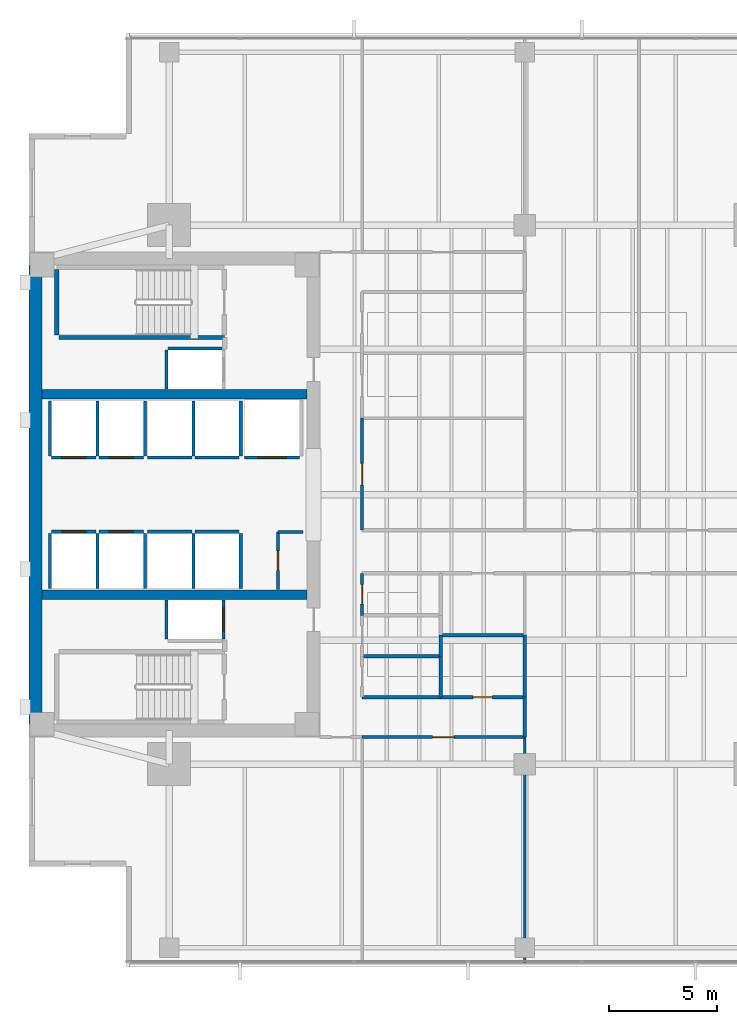
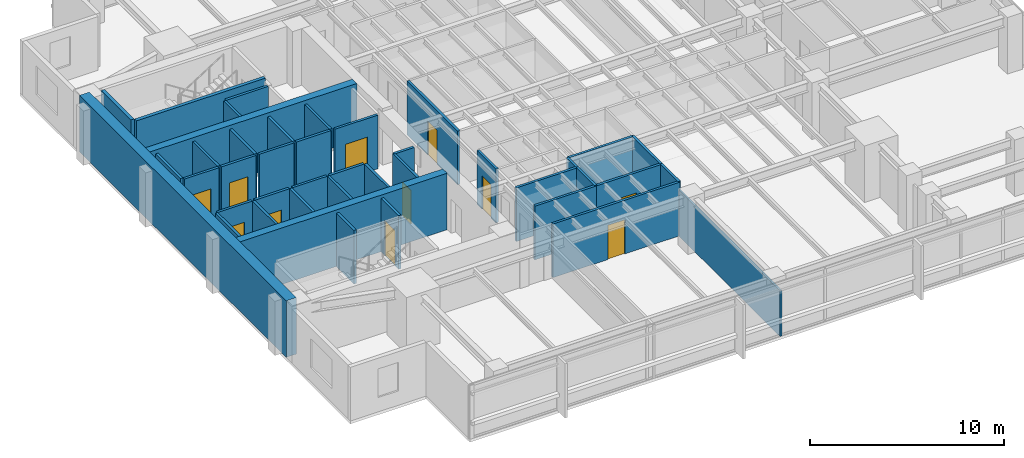
# One storey, part 8 of 14: 42 walls, 11 doors, 11 openings.
"""IFC4 building model written with IfcOpenShell, lengths in metres."""

from ifc_helpers import new_model, si_unit, direction, frame, frame_2d, origin, place, context, subcontext, project, spatial, rectangle, extrude, material, layer, layer_set, type_object, element, fill, save


model = new_model("IFC4")

# Units and contexts
model_context = context("Model", 3, precision=1e-05, world=origin(), true_north=direction((0.0, 1.0)))
body_context = subcontext(model_context, "Body", "Model", "MODEL_VIEW")
ifc_project = project(units=[si_unit("LENGTHUNIT", "METRE"), si_unit("AREAUNIT", "SQUARE_METRE"), si_unit("VOLUMEUNIT", "CUBIC_METRE"), si_unit("PLANEANGLEUNIT", "RADIAN"), si_unit("MASSUNIT", "GRAM", prefix="KILO")], contexts=[model_context])

# Site, building, storey
site_placement = place(None, origin())
site = spatial("IfcSite", under=ifc_project, at=site_placement, CompositionType="ELEMENT")
building_placement = place(site_placement, origin())
building = spatial("IfcBuilding", under=site, at=building_placement, Name="Kinhvarn Gate Tower", CompositionType="ELEMENT")
storey_placement = place(building_placement, frame((0.0, 0.0, 166.14990234375)))
storey = spatial("IfcBuildingStorey", under=building, at=storey_placement, Name="L44", CompositionType="ELEMENT", Elevation=166.14990234375)

# Walls
ifc_material_1 = material(Name="Concrete C50/60", Category="concrete")
ifc_layer_1 = layer(ifc_material_1, 0.449951171875)
ifc_layer_set_1 = layer_set([ifc_layer_1], Name="Concrete C50/60")
wall_type_1 = type_object("IfcWallType", Name="WL-CORE-450", PredefinedType="SHEAR", material=ifc_layer_set_1)
for number, where, z_axis, x_axis, name in (
    (1, (5.10009765625, 20.60009765625, 0.0), (0.0, 0.0, 1.0), (1.0, 0.0, 0.0), "Core South Spine Shear Wall L44 450 mm"),
    (2, (5.10009765625, 29.89990234375, 0.0), (0.0, 0.0, 1.0), (1.0, 0.0, 0.0), "Core North Spine Shear Wall L44 450 mm"),
):
    element("IfcWall", number, at=place(storey_placement, frame(where, z_axis=z_axis, x_axis=x_axis)), inside=storey, type_object=wall_type_1, Name=name, PredefinedType="SHEAR", context=body_context, shape_type="SweptSolid", body=[
        extrude(rectangle(XDim=12.2998046875, YDim=0.449951171875, at=frame_2d((6.14990234375, 0.0))), origin(), (0.0, 0.0, 1.0), 3.550048828125),
    ])
ifc_material_2 = material(Name="Concrete C60/75", Category="concrete")
ifc_layer_2 = layer(ifc_material_2, 0.60009765625)
ifc_layer_set_2 = layer_set([ifc_layer_2], Name="Concrete C60/75")
wall_type_2 = type_object("IfcWallType", Name="WL-COREX-600", PredefinedType="SHEAR", material=ifc_layer_set_2)
wall_1_placement = place(storey_placement, frame((4.800048828125, 14.60009765625, 0.0), z_axis=(0.0, 0.0, 1.0), x_axis=(0.0, 1.0, 0.0)))
element("IfcWall", 3, at=wall_1_placement, inside=storey, type_object=wall_type_2, Name="Core West Shear Wall L44 600 mm", PredefinedType="SHEAR", context=body_context, shape_type="SweptSolid", body=[
    extrude(rectangle(XDim=21.2998046875, YDim=0.60009765625, at=frame_2d((10.64990234375, 0.0))), origin(), (0.0, 0.0, 1.0), 3.550048828125),
])
ifc_material_3 = material(Name="Gypsum acoustic partition board")
ifc_layer_3 = layer(ifc_material_3, 0.14990234375)
ifc_layer_set_3 = layer_set([ifc_layer_3], Name="Gypsum acoustic partition board")
wall_type_3 = type_object("IfcWallType", Name="WL-PLM-150", PredefinedType="PLUMBINGWALL", material=ifc_layer_set_3)
wall_2_placement = place(storey_placement, frame((19.949951171875, 17.75, 0.0), z_axis=(0.0, 0.0, 1.0), x_axis=(1.0, 0.0, 0.0)))
element("IfcWall", 4, at=wall_2_placement, inside=storey, type_object=wall_type_3, Name="Interior Partition PLW-150 (L44)", PredefinedType="PLUMBINGWALL", context=body_context, shape_type="SweptSolid", body=[
    extrude(rectangle(XDim=3.650146484375, YDim=0.14990234375, at=frame_2d((1.8251953125, 0.0))), origin(), (0.0, 0.0, 1.0), 3.3701171875),
])
wall_3_placement = place(storey_placement, frame((23.60009765625, 15.85009765625, 0.0), z_axis=(0.0, 0.0, 1.0), x_axis=(0.0, 1.0, 0.0)))
element("IfcWall", 5, at=wall_3_placement, inside=storey, type_object=wall_type_3, Name="Interior Partition PLW-150 (L44)", PredefinedType="PLUMBINGWALL", context=body_context, shape_type="SweptSolid", body=[
    extrude(rectangle(XDim=1.89990234375, YDim=0.14990234375, at=frame_2d((0.949951171875, 0.0))), origin(), (0.0, 0.0, 1.0), 3.3701171875),
])
wall_4_placement = place(storey_placement, frame((23.60009765625, 17.75, 0.0), z_axis=(0.0, 0.0, 1.0), x_axis=(0.0, 1.0, 0.0)))
element("IfcWall", 6, at=wall_4_placement, inside=storey, type_object=wall_type_3, Name="Interior Partition PLW-150 (L44)", PredefinedType="PLUMBINGWALL", context=body_context, shape_type="SweptSolid", body=[
    extrude(rectangle(XDim=0.97998046875, YDim=0.14990234375, at=frame_2d((0.489990234375, 0.0))), origin(), (0.0, 0.0, 1.0), 3.3701171875),
])
wall_5_placement = place(storey_placement, frame((23.60009765625, 18.72998046875, 0.0), z_axis=(0.0, 0.0, 1.0), x_axis=(1.0, 0.0, 0.0)))
element("IfcWall", 7, at=wall_5_placement, inside=storey, type_object=wall_type_3, Name="Interior Partition PLW-150 (L44)", PredefinedType="PLUMBINGWALL", context=body_context, shape_type="SweptSolid", body=[
    extrude(rectangle(XDim=3.89990234375, YDim=0.14990234375, at=frame_2d((1.949951171875, 0.0))), origin(), (0.0, 0.0, 1.0), 3.3701171875),
])
wall_6_placement = place(storey_placement, frame((27.5, 15.85009765625, 0.0), z_axis=(0.0, 0.0, 1.0), x_axis=(0.0, 1.0, 0.0)))
element("IfcWall", 8, at=wall_6_placement, inside=storey, type_object=wall_type_3, Name="Interior Partition PLW-150 (L44)", PredefinedType="PLUMBINGWALL", context=body_context, shape_type="SweptSolid", body=[
    extrude(rectangle(XDim=2.8798828125, YDim=0.14990234375, at=frame_2d((1.43994140625, 0.0))), origin(), (0.0, 0.0, 1.0), 3.3701171875),
])

# Wall, opening, door
ifc_layer_4 = layer(ifc_material_3, 0.14990234375)
ifc_layer_set_4 = layer_set([ifc_layer_4], Name="Gypsum acoustic partition board")
wall_type_4 = type_object("IfcWallType", Name="WL-PLM-150F", PredefinedType="PLUMBINGWALL", material=ifc_layer_set_4)
wall_7_placement = place(storey_placement, frame((19.949951171875, 19.64990234375, 0.0), z_axis=(0.0, 0.0, 1.0), x_axis=(0.0, 1.0, 0.0)))
wall_7 = element("IfcWall", 9, at=wall_7_placement, inside=storey, type_object=wall_type_4, Name="Interior Partition PLW-150F (L44)", PredefinedType="PLUMBINGWALL", context=body_context, shape_type="SweptSolid", body=[
    extrude(rectangle(XDim=1.9501953125, YDim=0.14990234375, at=frame_2d((0.97509765625, 0.0))), origin(), (0.0, 0.0, 1.0), 3.3701171875),
])
opening_1_placement = place(wall_7_placement, frame((0.52490234375, 0.0, 0.0)))
opening_1 = element("IfcOpeningElement", 10, at=opening_1_placement, cuts=wall_7, Name="Opening FD-04", PredefinedType="OPENING", context=body_context, shape_type="SweptSolid", body=[
    extrude(rectangle(XDim=0.89990234375, YDim=2.10009765625, at=frame_2d((0.449951171875, 1.050048828125))), frame((0.0, 0.0849609375, 0.0), z_axis=(0.0, -1.0, 0.0), x_axis=(1.0, 0.0, 0.0)), (0.0, 0.0, 1.0), 0.169921875),
])
ifc_material_4 = material(Name="Anodised aluminium AW-6063", Category="aluminium")
door_type_1 = type_object("IfcDoorType", Name="DR-FD-900", OperationType="NOTDEFINED", PredefinedType="DOOR", material=ifc_material_4)
door_1_placement = place(opening_1_placement, origin())
door_1 = element("IfcDoor", 11, at=door_1_placement, inside=storey, type_object=door_type_1, Name="Rated Riser & Service Closet Fire Door 900x2100 mm (L44)", OperationType="SINGLE_SWING_LEFT", OverallHeight=2.10009765625, OverallWidth=0.89990234375, PredefinedType="DOOR", context=body_context, shape_type="SweptSolid", body=[
    extrude(rectangle(XDim=0.89990234375, YDim=2.10009765625, at=frame_2d((0.449951171875, 1.050048828125))), frame((0.0, 0.02490234375, 0.0), z_axis=(0.0, -1.0, 0.0), x_axis=(1.0, 0.0, 0.0)), (0.0, 0.0, 1.0), 0.050048828125),
])
fill(opening_1, door_1)

# Wall
wall_8_placement = place(storey_placement, frame((19.949951171875, 15.85009765625, 0.0), z_axis=(0.0, 0.0, 1.0), x_axis=(1.0, 0.0, 0.0)))
element("IfcWall", 12, at=wall_8_placement, inside=storey, type_object=wall_type_4, Name="Interior Partition PLW-150F (L44)", PredefinedType="PLUMBINGWALL", context=body_context, shape_type="SweptSolid", body=[
    extrude(rectangle(XDim=3.650146484375, YDim=0.14990234375, at=frame_2d((1.8251953125, 0.0))), origin(), (0.0, 0.0, 1.0), 3.3701171875),
])

# Wall, opening, door
wall_9_placement = place(storey_placement, frame((23.60009765625, 15.85009765625, 0.0), z_axis=(0.0, 0.0, 1.0), x_axis=(1.0, 0.0, 0.0)))
wall_9 = element("IfcWall", 13, at=wall_9_placement, inside=storey, type_object=wall_type_4, Name="Interior Partition PLW-150F (L44)", PredefinedType="PLUMBINGWALL", context=body_context, shape_type="SweptSolid", body=[
    extrude(rectangle(XDim=3.89990234375, YDim=0.14990234375, at=frame_2d((1.949951171875, 0.0))), origin(), (0.0, 0.0, 1.0), 3.3701171875),
])
opening_2_placement = place(wall_9_placement, frame((1.5, 0.0, 0.0)))
opening_2 = element("IfcOpeningElement", 14, at=opening_2_placement, cuts=wall_9, Name="Opening FD-04", PredefinedType="OPENING", context=body_context, shape_type="SweptSolid", body=[
    extrude(rectangle(XDim=0.89990234375, YDim=2.10009765625, at=frame_2d((0.449951171875, 1.050048828125))), frame((0.0, 0.0849609375, 0.0), z_axis=(0.0, -1.0, 0.0), x_axis=(1.0, 0.0, 0.0)), (0.0, 0.0, 1.0), 0.169921875),
])
door_2_placement = place(opening_2_placement, origin())
door_2 = element("IfcDoor", 15, at=door_2_placement, inside=storey, type_object=door_type_1, Name="Rated Riser & Service Closet Fire Door 900x2100 mm (L44)", OperationType="SINGLE_SWING_LEFT", OverallHeight=2.10009765625, OverallWidth=0.89990234375, PredefinedType="DOOR", context=body_context, shape_type="SweptSolid", body=[
    extrude(rectangle(XDim=0.89990234375, YDim=2.10009765625, at=frame_2d((0.449951171875, 1.050048828125))), frame((0.0, 0.02490234375, 0.0), z_axis=(0.0, -1.0, 0.0), x_axis=(1.0, 0.0, 0.0)), (0.0, 0.0, 1.0), 0.050048828125),
])
fill(opening_2, door_2)

# Wall
ifc_layer_5 = layer(ifc_material_3, 0.1201171875)
ifc_layer_set_5 = layer_set([ifc_layer_5], Name="Gypsum acoustic partition board")
wall_type_5 = type_object("IfcWallType", Name="WL-PRT-120", PredefinedType="PARTITIONING", material=ifc_layer_set_5)
wall_10_placement = place(storey_placement, frame((27.5, 3.510009765625, 0.0), z_axis=(0.0, 0.0, 1.0), x_axis=(0.0, 1.0, 0.0)))
element("IfcWall", 16, at=wall_10_placement, inside=storey, type_object=wall_type_5, Name="Interior Partition PW-120 (L44)", PredefinedType="PARTITIONING", context=body_context, shape_type="SweptSolid", body=[
    extrude(rectangle(XDim=10.489990234375, YDim=0.1201171875, at=frame_2d((5.2451171875, 0.0))), origin(), (0.0, 0.0, 1.0), 2.8701171875),
])

# Wall, opening, door
ifc_layer_6 = layer(ifc_material_3, 0.14990234375)
ifc_layer_set_6 = layer_set([ifc_layer_6], Name="Gypsum acoustic partition board")
wall_type_6 = type_object("IfcWallType", Name="WL-PRT-150F", PredefinedType="PARTITIONING", material=ifc_layer_set_6)
wall_11_placement = place(storey_placement, frame((16.050048828125, 20.85009765625, 0.0), z_axis=(0.0, 0.0, 1.0), x_axis=(0.0, 1.0, 0.0)))
wall_11 = element("IfcWall", 17, at=wall_11_placement, inside=storey, type_object=wall_type_6, Name="Interior Partition PW-150F (L44)", PredefinedType="PARTITIONING", context=body_context, shape_type="SweptSolid", body=[
    extrude(rectangle(XDim=2.669921875, YDim=0.14990234375, at=frame_2d((1.3349609375, 0.0))), origin(), (0.0, 0.0, 1.0), 3.3701171875),
])
opening_3_placement = place(wall_11_placement, frame((0.885009765625, 0.0, 0.0)))
opening_3 = element("IfcOpeningElement", 18, at=opening_3_placement, cuts=wall_11, Name="Opening FD-04", PredefinedType="OPENING", context=body_context, shape_type="SweptSolid", body=[
    extrude(rectangle(XDim=0.89990234375, YDim=2.10009765625, at=frame_2d((0.449951171875, 1.050048828125))), frame((0.0, 0.0849609375, 0.0), z_axis=(0.0, -1.0, 0.0), x_axis=(1.0, 0.0, 0.0)), (0.0, 0.0, 1.0), 0.169921875),
])
door_3_placement = place(opening_3_placement, origin())
door_3 = element("IfcDoor", 19, at=door_3_placement, inside=storey, type_object=door_type_1, Name="Rated Riser & Service Closet Fire Door 900x2100 mm (L44)", OperationType="SINGLE_SWING_RIGHT", OverallHeight=2.10009765625, OverallWidth=0.89990234375, PredefinedType="DOOR", context=body_context, shape_type="SweptSolid", body=[
    extrude(rectangle(XDim=0.89990234375, YDim=2.10009765625, at=frame_2d((0.449951171875, 1.050048828125))), frame((0.0, 0.02490234375, 0.0), z_axis=(0.0, -1.0, 0.0), x_axis=(1.0, 0.0, 0.0)), (0.0, 0.0, 1.0), 0.050048828125),
])
fill(opening_3, door_3)

# Wall
wall_12_placement = place(storey_placement, frame((16.050048828125, 23.52001953125, 0.0), z_axis=(0.0, 0.0, 1.0), x_axis=(1.0, 0.0, 0.0)))
element("IfcWall", 20, at=wall_12_placement, inside=storey, type_object=wall_type_6, Name="Interior Partition PW-150F (L44)", PredefinedType="PARTITIONING", context=body_context, shape_type="SweptSolid", body=[
    extrude(rectangle(XDim=1.169921875, YDim=0.14990234375, at=frame_2d((0.5849609375, 0.0))), origin(), (0.0, 0.0, 1.0), 3.3701171875),
])

# Wall, opening, door
wall_13_placement = place(storey_placement, frame((19.949951171875, 23.60009765625, 0.0), z_axis=(0.0, 0.0, 1.0), x_axis=(0.0, 1.0, 0.0)))
wall_13 = element("IfcWall", 21, at=wall_13_placement, inside=storey, type_object=wall_type_6, Name="Interior Partition PW-150F (L44)", PredefinedType="PARTITIONING", context=body_context, shape_type="SweptSolid", body=[
    extrude(rectangle(XDim=5.199951171875, YDim=0.14990234375, at=frame_2d((2.60009765625, 0.0))), origin(), (0.0, 0.0, 1.0), 3.3701171875),
])
opening_4_placement = place(wall_13_placement, frame((2.10009765625, 0.0, 0.0)))
opening_4 = element("IfcOpeningElement", 22, at=opening_4_placement, cuts=wall_13, Name="Opening ID-02", PredefinedType="OPENING", context=body_context, shape_type="SweptSolid", body=[
    extrude(rectangle(XDim=1.0, YDim=2.14990234375, at=frame_2d((0.5, 1.074951171875))), frame((0.0, 0.0849609375, 0.0), z_axis=(0.0, -1.0, 0.0), x_axis=(1.0, 0.0, 0.0)), (0.0, 0.0, 1.0), 0.169921875),
])
door_type_2 = type_object("IfcDoorType", Name="DR-INT-1000", OperationType="NOTDEFINED", PredefinedType="DOOR", material=ifc_material_4)
door_4_placement = place(opening_4_placement, origin())
door_4 = element("IfcDoor", 23, at=door_4_placement, inside=storey, type_object=door_type_2, Name="Standard Office & Meeting Room Door 1000x2150 mm (L44)", OperationType="SINGLE_SWING_RIGHT", OverallHeight=2.14990234375, OverallWidth=1.0, PredefinedType="DOOR", context=body_context, shape_type="SweptSolid", body=[
    extrude(rectangle(XDim=1.0, YDim=2.14990234375, at=frame_2d((0.5, 1.074951171875))), frame((0.0, 0.02490234375, 0.0), z_axis=(0.0, -1.0, 0.0), x_axis=(1.0, 0.0, 0.0)), (0.0, 0.0, 1.0), 0.050048828125),
])
fill(opening_4, door_4)

wall_14_placement = place(storey_placement, frame((19.949951171875, 14.0, 0.0), z_axis=(0.0, 0.0, 1.0), x_axis=(1.0, 0.0, 0.0)))
wall_14 = element("IfcWall", 24, at=wall_14_placement, inside=storey, type_object=wall_type_6, Name="Interior Partition PW-150F (L44)", PredefinedType="PARTITIONING", context=body_context, shape_type="SweptSolid", body=[
    extrude(rectangle(XDim=7.550048828125, YDim=0.14990234375, at=frame_2d((3.77490234375, 0.0))), origin(), (0.0, 0.0, 1.0), 3.3701171875),
])
opening_5_placement = place(wall_14_placement, frame((3.27490234375, 0.0, 0.0)))
opening_5 = element("IfcOpeningElement", 25, at=opening_5_placement, cuts=wall_14, Name="Opening ID-02", PredefinedType="OPENING", context=body_context, shape_type="SweptSolid", body=[
    extrude(rectangle(XDim=1.0, YDim=2.14990234375, at=frame_2d((0.5, 1.074951171875))), frame((0.0, 0.0849609375, 0.0), z_axis=(0.0, -1.0, 0.0), x_axis=(1.0, 0.0, 0.0)), (0.0, 0.0, 1.0), 0.169921875),
])
door_5_placement = place(opening_5_placement, origin())
door_5 = element("IfcDoor", 26, at=door_5_placement, inside=storey, type_object=door_type_2, Name="Standard Office & Meeting Room Door 1000x2150 mm (L44)", OperationType="SINGLE_SWING_RIGHT", OverallHeight=2.14990234375, OverallWidth=1.0, PredefinedType="DOOR", context=body_context, shape_type="SweptSolid", body=[
    extrude(rectangle(XDim=1.0, YDim=2.14990234375, at=frame_2d((0.5, 1.074951171875))), frame((0.0, 0.02490234375, 0.0), z_axis=(0.0, -1.0, 0.0), x_axis=(1.0, 0.0, 0.0)), (0.0, 0.0, 1.0), 0.050048828125),
])
fill(opening_5, door_5)

# Wall
wall_15_placement = place(storey_placement, frame((27.5, 14.0, 0.0), z_axis=(0.0, 0.0, 1.0), x_axis=(0.0, 1.0, 0.0)))
element("IfcWall", 27, at=wall_15_placement, inside=storey, type_object=wall_type_6, Name="Interior Partition PW-150F (L44)", PredefinedType="PARTITIONING", context=body_context, shape_type="SweptSolid", body=[
    extrude(rectangle(XDim=1.85009765625, YDim=0.14990234375, at=frame_2d((0.925048828125, 0.0))), origin(), (0.0, 0.0, 1.0), 3.3701171875),
])

# Wall, opening, door
ifc_layer_7 = layer(ifc_material_3, 0.14990234375)
ifc_layer_set_7 = layer_set([ifc_layer_7], Name="Gypsum acoustic partition board")
wall_type_7 = type_object("IfcWallType", Name="WL-SHF-150", PredefinedType="PARTITIONING", material=ifc_layer_set_7)
wall_16_placement = place(storey_placement, frame((5.550048828125, 23.52490234375, 0.0), z_axis=(0.0, 0.0, 1.0), x_axis=(1.0, 0.0, 0.0)))
wall_16 = element("IfcWall", 28, at=wall_16_placement, inside=storey, type_object=wall_type_7, Name="Elevator PM-05 Landing Wall (L44)", PredefinedType="PARTITIONING", context=body_context, shape_type="SweptSolid", body=[
    extrude(rectangle(XDim=2.050048828125, YDim=0.14990234375, at=frame_2d((1.02490234375, 0.0))), origin(), (0.0, 0.0, 1.0), 3.3701171875),
])
opening_6_placement = place(wall_16_placement, frame((0.47509765625, 0.0, 0.0)))
opening_6 = element("IfcOpeningElement", 29, at=opening_6_placement, cuts=wall_16, Name="Opening LD-01", PredefinedType="OPENING", context=body_context, shape_type="SweptSolid", body=[
    extrude(rectangle(XDim=1.10009765625, YDim=2.199951171875, at=frame_2d((0.550048828125, 1.10009765625))), frame((0.0, 0.0849609375, 0.0), z_axis=(0.0, -1.0, 0.0), x_axis=(1.0, 0.0, 0.0)), (0.0, 0.0, 1.0), 0.169921875),
])
door_type_3 = type_object("IfcDoorType", Name="DR-LND-PAS", OperationType="NOTDEFINED", PredefinedType="DOOR", material=ifc_material_4)
door_6_placement = place(opening_6_placement, origin())
door_6 = element("IfcDoor", 30, at=door_6_placement, inside=storey, type_object=door_type_3, Name="Elevator PM-05 Sliding Landing Door (L44)", OperationType="DOUBLE_DOOR_SLIDING", OverallHeight=2.199951171875, OverallWidth=1.10009765625, PredefinedType="DOOR", context=body_context, shape_type="SweptSolid", body=[
    extrude(rectangle(XDim=1.10009765625, YDim=2.199951171875, at=frame_2d((0.550048828125, 1.10009765625))), frame((0.0, 0.02490234375, 0.0), z_axis=(0.0, -1.0, 0.0), x_axis=(1.0, 0.0, 0.0)), (0.0, 0.0, 1.0), 0.050048828125),
])
fill(opening_6, door_6)

# Walls
for number, where, z_axis, x_axis, name in (
    (31, (5.47509765625, 20.89990234375, 0.0), (0.0, 0.0, 1.0), (0.0, 1.0, 0.0), "Elevator PM-05 Hoistway Wall W (L44)"),
    (32, (7.675048828125, 20.89990234375, 0.0), (0.0, 0.0, 1.0), (0.0, 1.0, 0.0), "Elevator PM-05 Hoistway Wall E (L44)"),
):
    element("IfcWall", number, at=place(storey_placement, frame(where, z_axis=z_axis, x_axis=x_axis)), inside=storey, type_object=wall_type_7, Name=name, PredefinedType="PARTITIONING", context=body_context, shape_type="SweptSolid", body=[
        extrude(rectangle(XDim=2.550048828125, YDim=0.14990234375, at=frame_2d((1.27490234375, 0.0))), origin(), (0.0, 0.0, 1.0), 3.3701171875),
    ])

# Wall, opening, door
wall_17_placement = place(storey_placement, frame((7.75, 23.52490234375, 0.0), z_axis=(0.0, 0.0, 1.0), x_axis=(1.0, 0.0, 0.0)))
wall_17 = element("IfcWall", 33, at=wall_17_placement, inside=storey, type_object=wall_type_7, Name="Elevator PM-06 Landing Wall (L44)", PredefinedType="PARTITIONING", context=body_context, shape_type="SweptSolid", body=[
    extrude(rectangle(XDim=2.050048828125, YDim=0.14990234375, at=frame_2d((1.02490234375, 0.0))), origin(), (0.0, 0.0, 1.0), 3.3701171875),
])
opening_7_placement = place(wall_17_placement, frame((0.47509765625, 0.0, 0.0)))
opening_7 = element("IfcOpeningElement", 34, at=opening_7_placement, cuts=wall_17, Name="Opening LD-01", PredefinedType="OPENING", context=body_context, shape_type="SweptSolid", body=[
    extrude(rectangle(XDim=1.10009765625, YDim=2.199951171875, at=frame_2d((0.550048828125, 1.10009765625))), frame((0.0, 0.0849609375, 0.0), z_axis=(0.0, -1.0, 0.0), x_axis=(1.0, 0.0, 0.0)), (0.0, 0.0, 1.0), 0.169921875),
])
door_7_placement = place(opening_7_placement, origin())
door_7 = element("IfcDoor", 35, at=door_7_placement, inside=storey, type_object=door_type_3, Name="Elevator PM-06 Sliding Landing Door (L44)", OperationType="DOUBLE_DOOR_SLIDING", OverallHeight=2.199951171875, OverallWidth=1.10009765625, PredefinedType="DOOR", context=body_context, shape_type="SweptSolid", body=[
    extrude(rectangle(XDim=1.10009765625, YDim=2.199951171875, at=frame_2d((0.550048828125, 1.10009765625))), frame((0.0, 0.02490234375, 0.0), z_axis=(0.0, -1.0, 0.0), x_axis=(1.0, 0.0, 0.0)), (0.0, 0.0, 1.0), 0.050048828125),
])
fill(opening_7, door_7)

# Wall
wall_18_placement = place(storey_placement, frame((9.875, 20.89990234375, 0.0), z_axis=(0.0, 0.0, 1.0), x_axis=(0.0, 1.0, 0.0)))
element("IfcWall", 36, at=wall_18_placement, inside=storey, type_object=wall_type_7, Name="Elevator PM-06 Hoistway Wall E (L44)", PredefinedType="PARTITIONING", context=body_context, shape_type="SweptSolid", body=[
    extrude(rectangle(XDim=2.550048828125, YDim=0.14990234375, at=frame_2d((1.27490234375, 0.0))), origin(), (0.0, 0.0, 1.0), 3.3701171875),
])

# Wall, opening, door
wall_19_placement = place(storey_placement, frame((5.550048828125, 26.97509765625, 0.0), z_axis=(0.0, 0.0, 1.0), x_axis=(1.0, 0.0, 0.0)))
wall_19 = element("IfcWall", 37, at=wall_19_placement, inside=storey, type_object=wall_type_7, Name="Elevator PM-07 Landing Wall (L44)", PredefinedType="PARTITIONING", context=body_context, shape_type="SweptSolid", body=[
    extrude(rectangle(XDim=2.050048828125, YDim=0.14990234375, at=frame_2d((1.02490234375, 0.0))), origin(), (0.0, 0.0, 1.0), 3.3701171875),
])
opening_8_placement = place(wall_19_placement, frame((0.47509765625, 0.0, 0.0)))
opening_8 = element("IfcOpeningElement", 38, at=opening_8_placement, cuts=wall_19, Name="Opening LD-01", PredefinedType="OPENING", context=body_context, shape_type="SweptSolid", body=[
    extrude(rectangle(XDim=1.10009765625, YDim=2.199951171875, at=frame_2d((0.550048828125, 1.10009765625))), frame((0.0, 0.0849609375, 0.0), z_axis=(0.0, -1.0, 0.0), x_axis=(1.0, 0.0, 0.0)), (0.0, 0.0, 1.0), 0.169921875),
])
door_8_placement = place(opening_8_placement, origin())
door_8 = element("IfcDoor", 39, at=door_8_placement, inside=storey, type_object=door_type_3, Name="Elevator PM-07 Sliding Landing Door (L44)", OperationType="DOUBLE_DOOR_SLIDING", OverallHeight=2.199951171875, OverallWidth=1.10009765625, PredefinedType="DOOR", context=body_context, shape_type="SweptSolid", body=[
    extrude(rectangle(XDim=1.10009765625, YDim=2.199951171875, at=frame_2d((0.550048828125, 1.10009765625))), frame((0.0, 0.02490234375, 0.0), z_axis=(0.0, -1.0, 0.0), x_axis=(1.0, 0.0, 0.0)), (0.0, 0.0, 1.0), 0.050048828125),
])
fill(opening_8, door_8)

# Walls
for number, where, z_axis, x_axis, name in (
    (40, (5.47509765625, 27.050048828125, 0.0), (0.0, 0.0, 1.0), (0.0, 1.0, 0.0), "Elevator PM-07 Hoistway Wall W (L44)"),
    (41, (7.675048828125, 27.050048828125, 0.0), (0.0, 0.0, 1.0), (0.0, 1.0, 0.0), "Elevator PM-07 Hoistway Wall E (L44)"),
):
    element("IfcWall", number, at=place(storey_placement, frame(where, z_axis=z_axis, x_axis=x_axis)), inside=storey, type_object=wall_type_7, Name=name, PredefinedType="PARTITIONING", context=body_context, shape_type="SweptSolid", body=[
        extrude(rectangle(XDim=2.550048828125, YDim=0.14990234375, at=frame_2d((1.27490234375, 0.0))), origin(), (0.0, 0.0, 1.0), 3.3701171875),
    ])

# Wall, opening, door
wall_20_placement = place(storey_placement, frame((7.75, 26.97509765625, 0.0), z_axis=(0.0, 0.0, 1.0), x_axis=(1.0, 0.0, 0.0)))
wall_20 = element("IfcWall", 42, at=wall_20_placement, inside=storey, type_object=wall_type_7, Name="Elevator PM-08 Landing Wall (L44)", PredefinedType="PARTITIONING", context=body_context, shape_type="SweptSolid", body=[
    extrude(rectangle(XDim=2.050048828125, YDim=0.14990234375, at=frame_2d((1.02490234375, 0.0))), origin(), (0.0, 0.0, 1.0), 3.3701171875),
])
opening_9_placement = place(wall_20_placement, frame((0.47509765625, 0.0, 0.0)))
opening_9 = element("IfcOpeningElement", 43, at=opening_9_placement, cuts=wall_20, Name="Opening LD-01", PredefinedType="OPENING", context=body_context, shape_type="SweptSolid", body=[
    extrude(rectangle(XDim=1.10009765625, YDim=2.199951171875, at=frame_2d((0.550048828125, 1.10009765625))), frame((0.0, 0.0849609375, 0.0), z_axis=(0.0, -1.0, 0.0), x_axis=(1.0, 0.0, 0.0)), (0.0, 0.0, 1.0), 0.169921875),
])
door_9_placement = place(opening_9_placement, origin())
door_9 = element("IfcDoor", 44, at=door_9_placement, inside=storey, type_object=door_type_3, Name="Elevator PM-08 Sliding Landing Door (L44)", OperationType="DOUBLE_DOOR_SLIDING", OverallHeight=2.199951171875, OverallWidth=1.10009765625, PredefinedType="DOOR", context=body_context, shape_type="SweptSolid", body=[
    extrude(rectangle(XDim=1.10009765625, YDim=2.199951171875, at=frame_2d((0.550048828125, 1.10009765625))), frame((0.0, 0.02490234375, 0.0), z_axis=(0.0, -1.0, 0.0), x_axis=(1.0, 0.0, 0.0)), (0.0, 0.0, 1.0), 0.050048828125),
])
fill(opening_9, door_9)

# Walls
wall_21_placement = place(storey_placement, frame((9.875, 27.050048828125, 0.0), z_axis=(0.0, 0.0, 1.0), x_axis=(0.0, 1.0, 0.0)))
element("IfcWall", 45, at=wall_21_placement, inside=storey, type_object=wall_type_7, Name="Elevator PM-08 Hoistway Wall E (L44)", PredefinedType="PARTITIONING", context=body_context, shape_type="SweptSolid", body=[
    extrude(rectangle(XDim=2.550048828125, YDim=0.14990234375, at=frame_2d((1.27490234375, 0.0))), origin(), (0.0, 0.0, 1.0), 3.3701171875),
])
wall_22_placement = place(storey_placement, frame((10.0, 23.52490234375, 0.0), z_axis=(0.0, 0.0, 1.0), x_axis=(1.0, 0.0, 0.0)))
element("IfcWall", 46, at=wall_22_placement, inside=storey, type_object=wall_type_7, Name="Elevator PH-09 Landing Wall (L44)", PredefinedType="PARTITIONING", context=body_context, shape_type="SweptSolid", body=[
    extrude(rectangle(XDim=2.050048828125, YDim=0.14990234375, at=frame_2d((1.02490234375, 0.0))), origin(), (0.0, 0.0, 1.0), 3.3701171875),
])
wall_23_placement = place(storey_placement, frame((12.125, 20.89990234375, 0.0), z_axis=(0.0, 0.0, 1.0), x_axis=(0.0, 1.0, 0.0)))
element("IfcWall", 47, at=wall_23_placement, inside=storey, type_object=wall_type_7, Name="Elevator PH-09 Hoistway Wall E (L44)", PredefinedType="PARTITIONING", context=body_context, shape_type="SweptSolid", body=[
    extrude(rectangle(XDim=2.550048828125, YDim=0.14990234375, at=frame_2d((1.27490234375, 0.0))), origin(), (0.0, 0.0, 1.0), 3.3701171875),
])
wall_24_placement = place(storey_placement, frame((12.199951171875, 23.52490234375, 0.0), z_axis=(0.0, 0.0, 1.0), x_axis=(1.0, 0.0, 0.0)))
element("IfcWall", 48, at=wall_24_placement, inside=storey, type_object=wall_type_7, Name="Elevator PH-10 Landing Wall (L44)", PredefinedType="PARTITIONING", context=body_context, shape_type="SweptSolid", body=[
    extrude(rectangle(XDim=2.050048828125, YDim=0.14990234375, at=frame_2d((1.02490234375, 0.0))), origin(), (0.0, 0.0, 1.0), 3.3701171875),
])
wall_25_placement = place(storey_placement, frame((14.324951171875, 20.89990234375, 0.0), z_axis=(0.0, 0.0, 1.0), x_axis=(0.0, 1.0, 0.0)))
element("IfcWall", 49, at=wall_25_placement, inside=storey, type_object=wall_type_7, Name="Elevator PH-10 Hoistway Wall E (L44)", PredefinedType="PARTITIONING", context=body_context, shape_type="SweptSolid", body=[
    extrude(rectangle(XDim=2.550048828125, YDim=0.14990234375, at=frame_2d((1.27490234375, 0.0))), origin(), (0.0, 0.0, 1.0), 3.3701171875),
])
wall_26_placement = place(storey_placement, frame((10.0, 26.97509765625, 0.0), z_axis=(0.0, 0.0, 1.0), x_axis=(1.0, 0.0, 0.0)))
element("IfcWall", 50, at=wall_26_placement, inside=storey, type_object=wall_type_7, Name="Elevator PH-11 Landing Wall (L44)", PredefinedType="PARTITIONING", context=body_context, shape_type="SweptSolid", body=[
    extrude(rectangle(XDim=2.050048828125, YDim=0.14990234375, at=frame_2d((1.02490234375, 0.0))), origin(), (0.0, 0.0, 1.0), 3.3701171875),
])
wall_27_placement = place(storey_placement, frame((12.125, 27.050048828125, 0.0), z_axis=(0.0, 0.0, 1.0), x_axis=(0.0, 1.0, 0.0)))
element("IfcWall", 51, at=wall_27_placement, inside=storey, type_object=wall_type_7, Name="Elevator PH-11 Hoistway Wall E (L44)", PredefinedType="PARTITIONING", context=body_context, shape_type="SweptSolid", body=[
    extrude(rectangle(XDim=2.550048828125, YDim=0.14990234375, at=frame_2d((1.27490234375, 0.0))), origin(), (0.0, 0.0, 1.0), 3.3701171875),
])
wall_28_placement = place(storey_placement, frame((12.199951171875, 26.97509765625, 0.0), z_axis=(0.0, 0.0, 1.0), x_axis=(1.0, 0.0, 0.0)))
element("IfcWall", 52, at=wall_28_placement, inside=storey, type_object=wall_type_7, Name="Elevator PH-12 Landing Wall (L44)", PredefinedType="PARTITIONING", context=body_context, shape_type="SweptSolid", body=[
    extrude(rectangle(XDim=2.050048828125, YDim=0.14990234375, at=frame_2d((1.02490234375, 0.0))), origin(), (0.0, 0.0, 1.0), 3.3701171875),
])
wall_29_placement = place(storey_placement, frame((14.324951171875, 27.050048828125, 0.0), z_axis=(0.0, 0.0, 1.0), x_axis=(0.0, 1.0, 0.0)))
element("IfcWall", 53, at=wall_29_placement, inside=storey, type_object=wall_type_7, Name="Elevator PH-12 Hoistway Wall E (L44)", PredefinedType="PARTITIONING", context=body_context, shape_type="SweptSolid", body=[
    extrude(rectangle(XDim=2.550048828125, YDim=0.14990234375, at=frame_2d((1.27490234375, 0.0))), origin(), (0.0, 0.0, 1.0), 3.3701171875),
])

# Wall, opening, door
wall_30_placement = place(storey_placement, frame((14.5, 26.97509765625, 0.0), z_axis=(0.0, 0.0, 1.0), x_axis=(1.0, 0.0, 0.0)))
wall_30 = element("IfcWall", 54, at=wall_30_placement, inside=storey, type_object=wall_type_7, Name="Elevator SV-01 Landing Wall (L44)", PredefinedType="PARTITIONING", context=body_context, shape_type="SweptSolid", body=[
    extrude(rectangle(XDim=2.550048828125, YDim=0.14990234375, at=frame_2d((1.27490234375, 0.0))), origin(), (0.0, 0.0, 1.0), 3.3701171875),
])
opening_10_placement = place(wall_30_placement, frame((0.625, 0.0, 0.0)))
opening_10 = element("IfcOpeningElement", 55, at=opening_10_placement, cuts=wall_30, Name="Opening LD-02", PredefinedType="OPENING", context=body_context, shape_type="SweptSolid", body=[
    extrude(rectangle(XDim=1.300048828125, YDim=2.199951171875, at=frame_2d((0.64990234375, 1.10009765625))), frame((0.0, 0.0849609375, 0.0), z_axis=(0.0, -1.0, 0.0), x_axis=(1.0, 0.0, 0.0)), (0.0, 0.0, 1.0), 0.169921875),
])
door_type_4 = type_object("IfcDoorType", Name="DR-LND-SRV", OperationType="NOTDEFINED", PredefinedType="DOOR", material=ifc_material_4)
door_10_placement = place(opening_10_placement, origin())
door_10 = element("IfcDoor", 56, at=door_10_placement, inside=storey, type_object=door_type_4, Name="Elevator SV-01 Sliding Landing Door (L44)", OperationType="DOUBLE_DOOR_SLIDING", OverallHeight=2.199951171875, OverallWidth=1.300048828125, PredefinedType="DOOR", context=body_context, shape_type="SweptSolid", body=[
    extrude(rectangle(XDim=1.300048828125, YDim=2.199951171875, at=frame_2d((0.64990234375, 1.10009765625))), frame((0.0, 0.02490234375, 0.0), z_axis=(0.0, -1.0, 0.0), x_axis=(1.0, 0.0, 0.0)), (0.0, 0.0, 1.0), 0.050048828125),
])
fill(opening_10, door_10)

# Wall
wall_31_placement = place(storey_placement, frame((10.875, 18.550048828125, 0.0), z_axis=(0.0, 0.0, 1.0), x_axis=(0.0, 1.0, 0.0)))
element("IfcWall", 57, at=wall_31_placement, inside=storey, type_object=wall_type_7, Name="Elevator FF1 Hoistway Wall W (L44)", PredefinedType="PARTITIONING", context=body_context, shape_type="SweptSolid", body=[
    extrude(rectangle(XDim=1.800048828125, YDim=0.14990234375, at=frame_2d((0.89990234375, 0.0))), origin(), (0.0, 0.0, 1.0), 3.3701171875),
])

# Wall, opening, door
wall_32_placement = place(storey_placement, frame((13.52490234375, 18.550048828125, 0.0), z_axis=(0.0, 0.0, 1.0), x_axis=(0.0, 1.0, 0.0)))
wall_32 = element("IfcWall", 58, at=wall_32_placement, inside=storey, type_object=wall_type_7, Name="Elevator FF1 Landing Wall (L44)", PredefinedType="PARTITIONING", context=body_context, shape_type="SweptSolid", body=[
    extrude(rectangle(XDim=1.800048828125, YDim=0.14990234375, at=frame_2d((0.89990234375, 0.0))), origin(), (0.0, 0.0, 1.0), 3.3701171875),
])
opening_11_placement = place(wall_32_placement, frame((0.35009765625, 0.0, 0.0)))
opening_11 = element("IfcOpeningElement", 59, at=opening_11_placement, cuts=wall_32, Name="Opening LD-03", PredefinedType="OPENING", context=body_context, shape_type="SweptSolid", body=[
    extrude(rectangle(XDim=1.10009765625, YDim=2.199951171875, at=frame_2d((0.550048828125, 1.10009765625))), frame((0.0, 0.0849609375, 0.0), z_axis=(0.0, -1.0, 0.0), x_axis=(1.0, 0.0, 0.0)), (0.0, 0.0, 1.0), 0.169921875),
])
door_type_5 = type_object("IfcDoorType", Name="DR-LND-FF", OperationType="NOTDEFINED", PredefinedType="DOOR", material=ifc_material_4)
door_11_placement = place(opening_11_placement, origin())
door_11 = element("IfcDoor", 60, at=door_11_placement, inside=storey, type_object=door_type_5, Name="Elevator FF1 Sliding Landing Door (L44)", OperationType="DOUBLE_DOOR_SLIDING", OverallHeight=2.199951171875, OverallWidth=1.10009765625, PredefinedType="DOOR", context=body_context, shape_type="SweptSolid", body=[
    extrude(rectangle(XDim=1.10009765625, YDim=2.199951171875, at=frame_2d((0.550048828125, 1.10009765625))), frame((0.0, 0.02490234375, 0.0), z_axis=(0.0, -1.0, 0.0), x_axis=(1.0, 0.0, 0.0)), (0.0, 0.0, 1.0), 0.050048828125),
])
fill(opening_11, door_11)

# Walls
wall_33_placement = place(storey_placement, frame((10.949951171875, 32.02490234375, 0.0), z_axis=(0.0, 0.0, 1.0), x_axis=(1.0, 0.0, 0.0)))
element("IfcWall", 61, at=wall_33_placement, inside=storey, type_object=wall_type_7, Name="Elevator FF2 Hoistway Wall N (L44)", PredefinedType="PARTITIONING", context=body_context, shape_type="SweptSolid", body=[
    extrude(rectangle(XDim=2.5, YDim=0.14990234375, at=frame_2d((1.25, 0.0))), origin(), (0.0, 0.0, 1.0), 3.3701171875),
])
wall_34_placement = place(storey_placement, frame((10.875, 30.14990234375, 0.0), z_axis=(0.0, 0.0, 1.0), x_axis=(0.0, 1.0, 0.0)))
element("IfcWall", 62, at=wall_34_placement, inside=storey, type_object=wall_type_7, Name="Elevator FF2 Hoistway Wall W (L44)", PredefinedType="PARTITIONING", context=body_context, shape_type="SweptSolid", body=[
    extrude(rectangle(XDim=1.800048828125, YDim=0.14990234375, at=frame_2d((0.89990234375, 0.0))), origin(), (0.0, 0.0, 1.0), 3.3701171875),
])
ifc_material_5 = material(Name="Concrete C40/50", Category="concrete")
ifc_layer_8 = layer(ifc_material_5, 0.199951171875)
ifc_layer_set_8 = layer_set([ifc_layer_8], Name="Concrete C40/50")
wall_type_8 = type_object("IfcWallType", Name="WL-SHF-200", PredefinedType="SOLIDWALL", material=ifc_layer_set_8)
wall_35_placement = place(storey_placement, frame((5.7900390625, 32.64990234375, 0.0), z_axis=(0.0, 0.0, 1.0), x_axis=(0.0, 1.0, 0.0)))
element("IfcWall", 63, at=wall_35_placement, inside=storey, type_object=wall_type_8, Name="Stair ST2 West Shaft Wall (L44)", PredefinedType="SOLIDWALL", context=body_context, shape_type="SweptSolid", body=[
    extrude(rectangle(XDim=3.050048828125, YDim=0.199951171875, at=frame_2d((1.52490234375, 0.0))), origin(), (0.0, 0.0, 1.0), 3.550048828125),
])
wall_36_placement = place(storey_placement, frame((5.89990234375, 32.5400390625, 0.0), z_axis=(0.0, 0.0, 1.0), x_axis=(1.0, 0.0, 0.0)))
element("IfcWall", 64, at=wall_36_placement, inside=storey, type_object=wall_type_8, Name="Stair ST2 South Shaft Wall (L44)", PredefinedType="SOLIDWALL", context=body_context, shape_type="SweptSolid", body=[
    extrude(rectangle(XDim=7.66015625, YDim=0.199951171875, at=frame_2d((3.830078125, 0.0))), origin(), (0.0, 0.0, 1.0), 3.550048828125),
])

save(model, "model.ifc")
